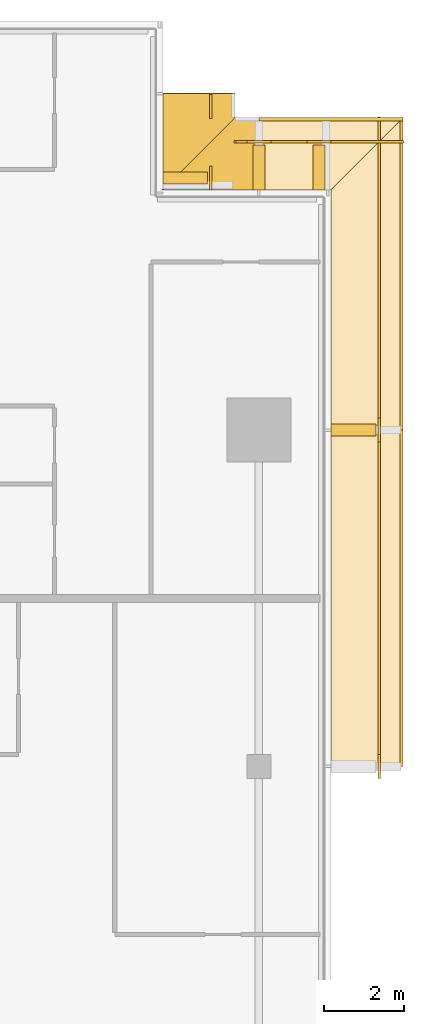
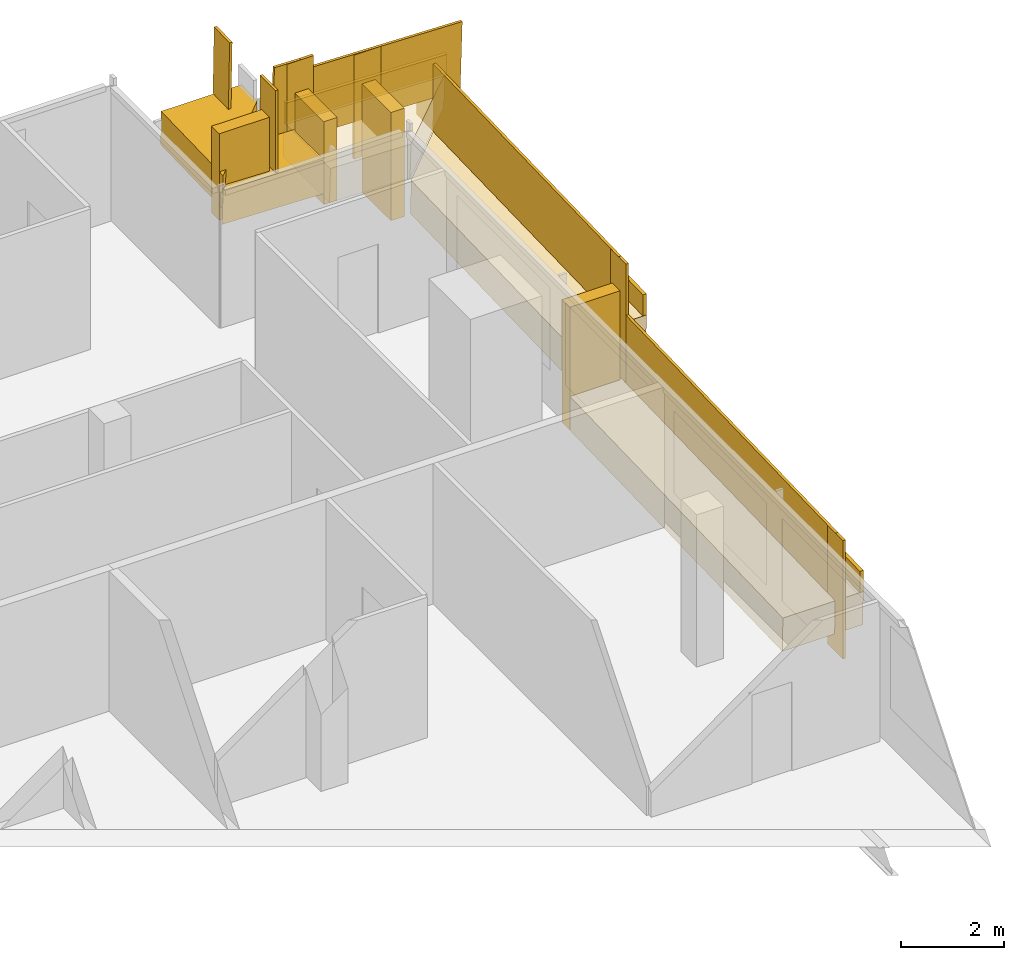
# One storey, part 28 of 30: 12 coverings, 10 railings.
"""IFC4 building model written with IfcOpenShell, lengths in metres."""

from ifc_helpers import new_model, si_unit, direction, frame, origin, origin_2d, place, context, subcontext, project, spatial, polyline, rectangle, outline, extrude, material, layer, layer_set, type_object, element, save


model = new_model("IFC4")

# Units and contexts
model_context = context("Model", 3, precision=1e-05, world=origin(), true_north=direction((0.0, 1.0)))
body_context = subcontext(model_context, "Body", "Model", "MODEL_VIEW")
ifc_project = project(units=[si_unit("LENGTHUNIT", "METRE"), si_unit("AREAUNIT", "SQUARE_METRE"), si_unit("VOLUMEUNIT", "CUBIC_METRE"), si_unit("PLANEANGLEUNIT", "RADIAN"), si_unit("MASSUNIT", "GRAM", prefix="KILO")], contexts=[model_context])

# Site, building, storey
site_placement = place(None, origin())
site = spatial("IfcSite", under=ifc_project, at=site_placement, CompositionType="ELEMENT")
building_placement = place(site_placement, origin())
building = spatial("IfcBuilding", under=site, at=building_placement, Name="Saffron Gate Tower", CompositionType="ELEMENT")
storey_placement = place(building_placement, frame((0.0, 0.0, 245.10009765625)))
storey = spatial("IfcBuildingStorey", under=building, at=storey_placement, Name="L60", CompositionType="ELEMENT", Elevation=245.10009765625)

# Coverings
ifc_material = material(Name="Timber, thermally modified ash", Category="wood")
ifc_layer_1 = layer(ifc_material, 0.800048828125)
ifc_layer_set_1 = layer_set([ifc_layer_1], Name="LD1 ledge timber")
covering_type_1 = type_object("IfcCoveringType", Name="LD1 ledge timber", PredefinedType="CLADDING", material=ifc_layer_set_1)
covering_1_placement = place(storey_placement, frame((127.199951171875, 57.0, 0.242919921875), z_axis=(0.0, -0.028820203882, 0.99958461165), x_axis=(0.0, 0.99958461165, 0.028820203882)))
element("IfcCovering", 1, at=covering_1_placement, inside=storey, type_object=covering_type_1, Name="LEDGE", PredefinedType="CLADDING", context=body_context, shape_type="SweptSolid", body=[
    extrude(outline(polyline([(0.0, 0.0), (8.40339301530596, 0.0), (8.40339301530596, -1.800048828125), (0.0, -1.800048828125), (0.0, 0.0)])), origin(), (0.0, 0.0, -1.0), 0.800048828125),
])
covering_2_placement = place(storey_placement, frame((127.199951171875, 65.39990234375, 1.685302734375), z_axis=(-3.5027307e-05, -0.028807146299, 0.99958498743), x_axis=(-3.68e-10, 0.999584988043, 0.028807146316)))
element("IfcCovering", 2, at=covering_2_placement, inside=storey, type_object=covering_type_1, Name="LEDGE", PredefinedType="CLADDING", context=body_context, shape_type="SweptSolid", body=[
    extrude(outline(polyline([(0.0, 0.0), (6.0024892885105, -2.541098841762901e-21), (7.8032891020589235, -1.8000488321003227), (-6.622937652878055e-10, -1.8000488270207489), (0.0, 0.0)])), origin(), (0.0, 0.0, -1.0), 0.800048828125),
])
covering_3_placement = place(storey_placement, frame((127.199951171875, 71.39990234375, 2.715576171875), z_axis=(0.028741681402, 0.0, 0.999586872538), x_axis=(-0.999586872538, 0.0, 0.028741681402)))
element("IfcCovering", 3, at=covering_3_placement, inside=storey, type_object=covering_type_1, Name="LEDGE", PredefinedType="CLADDING", context=body_context, shape_type="SweptSolid", body=[
    extrude(outline(polyline([(0.0, 0.0), (1.8007927850779974, 0.0), (1.8007927850779974, -1.800048828125), (-1.8007927850779974, -1.800048828125), (0.0, 0.0)])), origin(), (0.0, 0.0, -1.0), 0.800048828125),
])
covering_4_placement = place(storey_placement, frame((125.39990234375, 71.39990234375, 3.024658203125), z_axis=(0.028798988267, -2.8677152e-05, 0.999585222706), x_axis=(-0.999585223117, -6.17e-10, 0.028798988279)))
element("IfcCovering", 4, at=covering_4_placement, inside=storey, type_object=covering_type_1, Name="LEDGE", PredefinedType="CLADDING", context=body_context, shape_type="SweptSolid", body=[
    extrude(outline(polyline([(0.0, 0.0), (2.400896693585025, 4.235164736271502e-22), (0.6001039103565923, -1.8000488292351675), (-1.1098572600196767e-09, -1.8000488273848385), (0.0, 0.0)])), origin(), (0.0, 0.0, -1.0), 0.800048828125),
])
covering_5_placement = place(storey_placement, frame((123.0, 71.39990234375, 3.436767578125), z_axis=(2.6333678e-05, -0.028794305201, 0.999585357683), x_axis=(5.2e-10, 0.99958535803, 0.028794305211)))
element("IfcCovering", 5, at=covering_5_placement, inside=storey, type_object=covering_type_1, Name="LEDGE", PredefinedType="CLADDING", context=body_context, shape_type="SweptSolid", body=[
    extrude(outline(polyline([(0.0, 0.0), (2.401140733194568, 0.0), (2.4011407341303483, -1.8000488275008664), (1.8007927835182762, -1.8000488290612322), (0.0, 0.0)])), origin(), (0.0, 0.0, -1.0), 0.800048828125),
])
ifc_layer_2 = layer(ifc_material, 0.080078125)
ifc_layer_set_2 = layer_set([ifc_layer_2], Name="LD2 ledge planter trough")
covering_type_2 = type_object("IfcCoveringType", Name="LD2 ledge planter trough", PredefinedType="CLADDING", material=ifc_layer_set_2)
covering_6_placement = place(storey_placement, frame((129.0, 57.0, 0.242919921875), z_axis=(1.0, 0.0, 0.0), x_axis=(0.0, 0.99958461165, 0.028820203882)))
element("IfcCovering", 6, at=covering_6_placement, inside=storey, type_object=covering_type_2, Name="LEDGE planter trough", PredefinedType="CLADDING", context=body_context, shape_type="SweptSolid", body=[
    extrude(outline(polyline([(0.0, 0.0), (8.40339301530596, 0.0), (8.41780311724686, 0.49979230582518264), (0.014410101940899296, 0.49979230582518264), (0.0, 0.0)])), origin(), (0.0, 0.0, -1.0), 0.080078125),
])
covering_7_placement = place(storey_placement, frame((129.0, 65.39990234375, 1.685302734375), z_axis=(1.0, 0.0, 0.0), x_axis=(0.0, 0.999584755248, 0.028815222999)))
element("IfcCovering", 7, at=covering_7_placement, inside=storey, type_object=covering_type_2, Name="LEDGE planter trough", PredefinedType="CLADDING", context=body_context, shape_type="SweptSolid", body=[
    extrude(outline(polyline([(0.0, 0.0), (7.803289102975944, 0.0), (7.8176967144752565, 0.4997923776238338), (0.014407611499312996, 0.4997923776238338), (0.0, 0.0)])), origin(), (0.0, 0.0, -1.0), 0.080078125),
])
covering_8_placement = place(storey_placement, frame((129.0, 73.199951171875, 2.663818359375), z_axis=(0.0, 1.0, 0.0), x_axis=(-0.999586872538, 0.0, 0.028741681402)))
element("IfcCovering", 8, at=covering_8_placement, inside=storey, type_object=covering_type_2, Name="LEDGE planter trough", PredefinedType="CLADDING", context=body_context, shape_type="SweptSolid", body=[
    extrude(outline(polyline([(0.0, 0.0), (3.601585570155995, 0.0), (3.6159564108570694, 0.49979343626896944), (0.014370840701074394, 0.4997934362689694), (0.0, 0.0)])), origin(), (0.0, 0.0, -1.0), 0.080078125),
])
ifc_layer_3 = layer(ifc_material, 0.300048828125)
ifc_layer_set_3 = layer_set([ifc_layer_3], Name="LD3 ledge riser fin")
covering_type_3 = type_object("IfcCoveringType", Name="LD3 ledge riser fin", PredefinedType="CLADDING", material=ifc_layer_set_3)
covering_9_placement = place(storey_placement, frame((127.760009765625, 65.39990234375, -0.31494140625), z_axis=(0.0, 0.0, 1.0), x_axis=(0.0, 1.0, 0.0)))
element("IfcCovering", 9, at=covering_9_placement, inside=storey, type_object=covering_type_3, Name="LEDGE riser fin", PredefinedType="CLADDING", context=body_context, shape_type="SweptSolid", body=[
    extrude(rectangle(XDim=0.300048828125, YDim=1.1201171875, at=origin_2d()), origin(), (0.0, 0.0, 1.0), 2.900390625),
])
covering_10_placement = place(storey_placement, frame((126.89990234375, 71.9599609375, 1.05810546875), z_axis=(0.0, 0.0, 1.0), x_axis=(-1.0, 0.0, 0.0)))
element("IfcCovering", 10, at=covering_10_placement, inside=storey, type_object=covering_type_3, Name="LEDGE riser fin", PredefinedType="CLADDING", context=body_context, shape_type="SweptSolid", body=[
    extrude(rectangle(XDim=0.300048828125, YDim=1.1201171875, at=origin_2d()), origin(), (0.0, 0.0, 1.0), 2.557373046875),
])
covering_11_placement = place(storey_placement, frame((125.39990234375, 71.9599609375, 1.96728515625), z_axis=(0.0, 0.0, 1.0), x_axis=(-1.0, 0.0, 0.0)))
element("IfcCovering", 11, at=covering_11_placement, inside=storey, type_object=covering_type_3, Name="LEDGE riser fin", PredefinedType="CLADDING", context=body_context, shape_type="SweptSolid", body=[
    extrude(rectangle(XDim=0.300048828125, YDim=1.1201171875, at=origin_2d()), origin(), (0.0, 0.0, 1.0), 1.957275390625),
])
covering_12_placement = place(storey_placement, frame((123.56005859375, 71.699951171875, 2.293701171875), z_axis=(0.0, 0.0, 1.0), x_axis=(0.0, 1.0, 0.0)))
element("IfcCovering", 12, at=covering_12_placement, inside=storey, type_object=covering_type_3, Name="LEDGE riser fin", PredefinedType="CLADDING", context=body_context, shape_type="SweptSolid", body=[
    extrude(rectangle(XDim=0.300048828125, YDim=1.1201171875, at=origin_2d()), origin(), (0.0, 0.0, 1.0), 2.04296875),
])

# Railings
railing_type = type_object("IfcRailingType", Name="LG1 ledge balustrade", PredefinedType="BALUSTRADE", material=ifc_material)
railing_1_placement = place(storey_placement, frame((128.39990234375, 57.0, 0.242919921875)))
element("IfcRailing", 13, at=railing_1_placement, inside=storey, type_object=railing_type, Name="LEDGE BALUSTRADE", PredefinedType="BALUSTRADE", context=body_context, shape_type="SweptSolid", body=[
    extrude(rectangle(XDim=0.06005859375, YDim=1.60009765625, at=origin_2d()), frame((0.0, 0.0, 0.800048828125), z_axis=(0.0, 0.99958461165, 0.028820203882), x_axis=(-1.0, 0.0, 0.0)), (0.0, 0.0, 1.0), 8.4033203125),
])
railing_2_placement = place(storey_placement, frame((128.39990234375, 56.699951171875, -0.957275390625)))
element("IfcRailing", 14, at=railing_2_placement, inside=storey, type_object=railing_type, Name="LEDGE BALUSTRADE", PredefinedType="BALUSTRADE", context=body_context, shape_type="SweptSolid", body=[
    extrude(rectangle(XDim=0.06005859375, YDim=2.80029296875, at=origin_2d()), frame((0.0, 0.0, 1.400146484375), z_axis=(0.0, 1.0, 0.0), x_axis=(-1.0, 0.0, 0.0)), (0.0, 0.0, 1.0), 0.60009765625),
])
railing_3_placement = place(storey_placement, frame((128.39990234375, 65.39990234375, 1.685302734375)))
element("IfcRailing", 15, at=railing_3_placement, inside=storey, type_object=railing_type, Name="LEDGE BALUSTRADE", PredefinedType="BALUSTRADE", context=body_context, shape_type="SweptSolid", body=[
    extrude(rectangle(XDim=0.06005859375, YDim=1.60009765625, at=origin_2d()), frame((0.0, 0.0, 0.800048828125), z_axis=(0.0, 0.999584755248, 0.028815222999), x_axis=(-1.0, 0.0, 0.0)), (0.0, 0.0, 1.0), 7.80322265625),
])
railing_4_placement = place(storey_placement, frame((128.39990234375, 65.10009765625, 0.485107421875)))
element("IfcRailing", 16, at=railing_4_placement, inside=storey, type_object=railing_type, Name="LEDGE BALUSTRADE", PredefinedType="BALUSTRADE", context=body_context, shape_type="SweptSolid", body=[
    extrude(rectangle(XDim=0.06005859375, YDim=2.80029296875, at=origin_2d()), frame((0.0, 0.0, 1.400146484375), z_axis=(0.0, 1.0, 0.0), x_axis=(-1.0, 0.0, 0.0)), (0.0, 0.0, 1.0), 0.599853515625),
])
railing_5_placement = place(storey_placement, frame((129.0, 72.60009765625, 2.663818359375)))
element("IfcRailing", 17, at=railing_5_placement, inside=storey, type_object=railing_type, Name="LEDGE BALUSTRADE", PredefinedType="BALUSTRADE", context=body_context, shape_type="SweptSolid", body=[
    extrude(rectangle(XDim=0.06005859375, YDim=1.60009765625, at=origin_2d()), frame((0.0, 0.0, 0.800048828125), z_axis=(-0.999586872538, 0.0, 0.028741681402), x_axis=(0.0, -1.0, 0.0)), (0.0, 0.0, 1.0), 3.6015625),
])
railing_6_placement = place(storey_placement, frame((127.199951171875, 72.60009765625, 1.858154296875)))
element("IfcRailing", 18, at=railing_6_placement, inside=storey, type_object=railing_type, Name="LEDGE BALUSTRADE", PredefinedType="BALUSTRADE", context=body_context, shape_type="SweptSolid", body=[
    extrude(rectangle(XDim=0.06005859375, YDim=2.45751953125, at=origin_2d()), frame((0.0, 0.0, 1.228759765625), z_axis=(-1.0, 0.0, 0.0), x_axis=(0.0, -1.0, 0.0)), (0.0, 0.0, 1.0), 0.599853515625),
])
railing_7_placement = place(storey_placement, frame((125.39990234375, 72.60009765625, 3.024658203125)))
element("IfcRailing", 19, at=railing_7_placement, inside=storey, type_object=railing_type, Name="LEDGE BALUSTRADE", PredefinedType="BALUSTRADE", context=body_context, shape_type="SweptSolid", body=[
    extrude(rectangle(XDim=0.06005859375, YDim=1.60009765625, at=origin_2d()), frame((0.0, 0.0, 0.800048828125), z_axis=(-0.999582742162, 0.0, 0.028884971385), x_axis=(0.0, -1.0, 0.0)), (0.0, 0.0, 1.0), 0.60009765625),
])
railing_8_placement = place(storey_placement, frame((125.699951171875, 72.60009765625, 2.767333984375)))
element("IfcRailing", 20, at=railing_8_placement, inside=storey, type_object=railing_type, Name="LEDGE BALUSTRADE", PredefinedType="BALUSTRADE", context=body_context, shape_type="SweptSolid", body=[
    extrude(rectangle(XDim=0.06005859375, YDim=1.857177734375, at=origin_2d()), frame((0.0, 0.0, 0.9287109375), z_axis=(-1.0, 0.0, 0.0), x_axis=(0.0, -1.0, 0.0)), (0.0, 0.0, 1.0), 0.599853515625),
])
railing_9_placement = place(storey_placement, frame((124.199951171875, 73.199951171875, 3.488525390625)))
element("IfcRailing", 21, at=railing_9_placement, inside=storey, type_object=railing_type, Name="LEDGE BALUSTRADE", PredefinedType="BALUSTRADE", context=body_context, shape_type="SweptSolid", body=[
    extrude(rectangle(XDim=0.06005859375, YDim=1.60009765625, at=origin_2d()), frame((0.0, 0.0, 0.800048828125), z_axis=(0.0, 0.999583081391, 0.028873229772), x_axis=(-1.0, 0.0, 0.0)), (0.0, 0.0, 1.0), 0.600341796875),
])
railing_10_placement = place(storey_placement, frame((124.199951171875, 71.39990234375, 3.09375)))
element("IfcRailing", 22, at=railing_10_placement, inside=storey, type_object=railing_type, Name="LEDGE BALUSTRADE", PredefinedType="BALUSTRADE", context=body_context, shape_type="SweptSolid", body=[
    extrude(rectangle(XDim=0.06005859375, YDim=1.943115234375, at=origin_2d()), frame((0.0, 0.0, 0.9716796875), z_axis=(0.0, 1.0, 0.0), x_axis=(-1.0, 0.0, 0.0)), (0.0, 0.0, 1.0), 0.60009765625),
])

save(model, "model.ifc")
